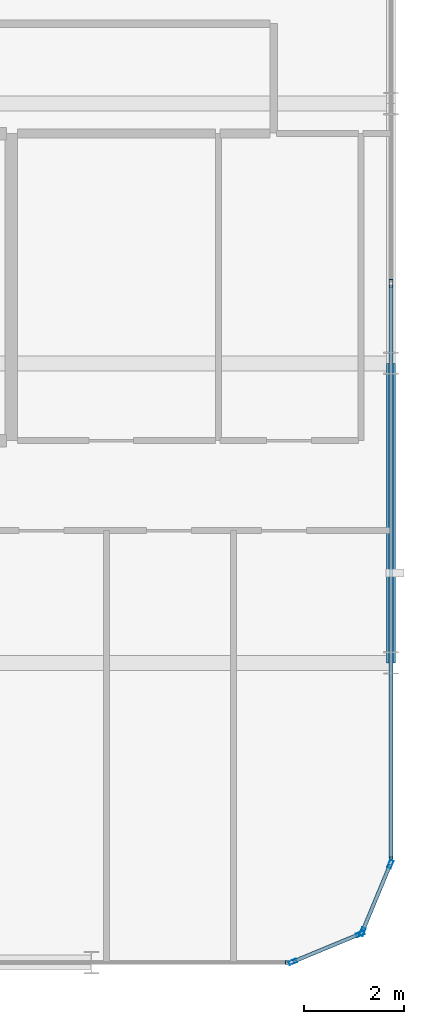
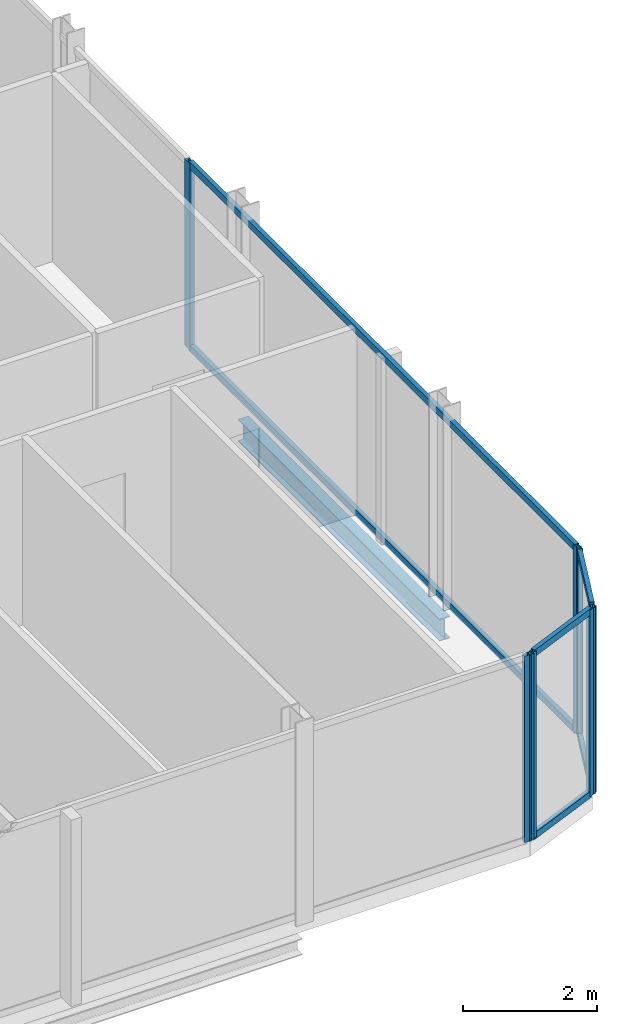
# One storey, part 12 of 29: 13 members, 1 beam, 4 elements without a shape of their own.
"""IFC4 building model written with IfcOpenShell, lengths in metres."""

from ifc_helpers import new_model, si_unit, direction, frame, origin, origin_2d, place, context, subcontext, project, spatial, hollow_rectangle, i_section, extrude, material, layer, layer_set, material_profile, profile_set, type_object, element, aggregate, save


model = new_model("IFC4")

# Units and contexts
model_context = context("Model", 3, precision=1e-05, world=origin(), true_north=direction((0.0, 1.0)))
body_context = subcontext(model_context, "Body", "Model", "MODEL_VIEW")
ifc_project = project(units=[si_unit("LENGTHUNIT", "METRE"), si_unit("AREAUNIT", "SQUARE_METRE"), si_unit("VOLUMEUNIT", "CUBIC_METRE"), si_unit("PLANEANGLEUNIT", "RADIAN"), si_unit("MASSUNIT", "GRAM", prefix="KILO")], contexts=[model_context])

# Site, building, storey
site_placement = place(None, origin())
site = spatial("IfcSite", under=ifc_project, at=site_placement, CompositionType="ELEMENT")
building_placement = place(site_placement, origin())
building = spatial("IfcBuilding", under=site, at=building_placement, Name="Keshet Zoharim Tower", CompositionType="ELEMENT")
storey_placement = place(building_placement, frame((0.0, 0.0, 188.39990234375)))
storey = spatial("IfcBuildingStorey", under=building, at=storey_placement, Name="L46", CompositionType="ELEMENT", Elevation=188.39990234375)

# Beam
ifc_material_1 = material(Name="Steel S355", Category="steel")
ifc_material_profile_1 = material_profile(ifc_material_1, i_section(OverallWidth=0.179931640625, OverallDepth=0.39990234375, WebThickness=0.008544921875, FlangeThickness=0.013427734375, FilletRadius=0.02099609375, at=origin_2d()), Name="IPE400")
ifc_profile_set_1 = profile_set([ifc_material_profile_1], Name="Steel S355")
beam_type = type_object("IfcBeamType", Name="BM-PRI-IP400", PredefinedType="BEAM", material=ifc_profile_set_1)
beam_placement = place(storey_placement, frame((57.0, 6.699951171875, -0.510009765625), z_axis=(0.0, 1.0, 0.0), x_axis=(-1.0, 0.0, 0.0)))
element("IfcBeam", 1, at=beam_placement, inside=storey, type_object=beam_type, Name="L46 Primary Girder Y-013", PredefinedType="BEAM", context=body_context, shape_type="SweptSolid", body=[
    extrude(i_section(OverallWidth=0.179931640625, OverallDepth=0.39990234375, WebThickness=0.008544921875, FlangeThickness=0.013427734375, FilletRadius=0.02099609375, at=origin_2d()), origin(), (0.0, 0.0, 1.0), 6.0),
])

# Curtain wall, members
ifc_material_2 = material(Name="Aluminium 6063-T6", Category="aluminium")
ifc_layer = layer(ifc_material_2, 0.139892578125)
ifc_layer_set = layer_set([ifc_layer], Name="Aluminium 6063-T6")
curtain_wall_type = type_object("IfcCurtainWallType", Name="CW-SYS-05", PredefinedType="NOTDEFINED", material=ifc_layer_set)
curtain_wall_1_placement = place(storey_placement, origin())
curtain_wall_1 = element("IfcCurtainWall", 2, at=curtain_wall_1_placement, inside=storey, type_object=curtain_wall_type, Name="L46 Unitised Curtain Wall 03", PredefinedType="NOTDEFINED")
ifc_material_profile_2 = material_profile(ifc_material_2, hollow_rectangle(XDim=0.074951171875, YDim=0.159912109375, WallThickness=0.00390625, at=origin_2d()), Name="MUL-75x160")
ifc_profile_set_2 = profile_set([ifc_material_profile_2], Name="Aluminium 6063-T6")
member_type_1 = type_object("IfcMemberType", Name="CWM-M15", PredefinedType="MULLION", material=ifc_profile_set_2)
member_1_placement = place(storey_placement, frame((57.0, 14.300048828125, 0.0), z_axis=(0.0, 0.0, 1.0), x_axis=(1.0, 0.0, 0.0)))
member_1 = element("IfcMember", 3, at=member_1_placement, type_object=member_type_1, Name="CW-05 mullion 2", PredefinedType="MULLION", context=body_context, shape_type="SweptSolid", body=[
    extrude(hollow_rectangle(XDim=0.074951171875, YDim=0.159912109375, WallThickness=0.00390625, at=origin_2d()), origin(), (0.0, 0.0, 1.0), 3.39013671875),
])
member_2_placement = place(storey_placement, frame((57.0, 2.735107421875, 0.0), z_axis=(0.0, 0.0, 1.0), x_axis=(1.0, 0.0, 0.0)))
member_2 = element("IfcMember", 4, at=member_2_placement, type_object=member_type_1, Name="CW-05 mullion 3", PredefinedType="MULLION", context=body_context, shape_type="SweptSolid", body=[
    extrude(hollow_rectangle(XDim=0.074951171875, YDim=0.159912109375, WallThickness=0.00390625, at=origin_2d()), origin(), (0.0, 0.0, 1.0), 3.39013671875),
])

curtain_wall_2_placement = place(storey_placement, origin())
curtain_wall_2 = element("IfcCurtainWall", 5, at=curtain_wall_2_placement, inside=storey, type_object=curtain_wall_type, Name="L46 Unitised Curtain Wall 04", PredefinedType="NOTDEFINED")
member_3_placement = place(storey_placement, frame((56.986572265625, 2.667724609375, 0.0), z_axis=(0.0, 0.0, 1.0), x_axis=(0.92380975372, -0.382851849847, 0.0)))
member_3 = element("IfcMember", 6, at=member_3_placement, type_object=member_type_1, Name="CW-05 mullion 1", PredefinedType="MULLION", context=body_context, shape_type="SweptSolid", body=[
    extrude(hollow_rectangle(XDim=0.074951171875, YDim=0.159912109375, WallThickness=0.00390625, at=origin_2d()), origin(), (0.0, 0.0, 1.0), 3.39013671875),
])
member_4_placement = place(storey_placement, frame((56.427490234375, 1.318359375, 0.0), z_axis=(0.0, 0.0, 1.0), x_axis=(0.92380975372, -0.382851849847, 0.0)))
member_4 = element("IfcMember", 7, at=member_4_placement, type_object=member_type_1, Name="CW-05 mullion 2", PredefinedType="MULLION", context=body_context, shape_type="SweptSolid", body=[
    extrude(hollow_rectangle(XDim=0.074951171875, YDim=0.159912109375, WallThickness=0.00390625, at=origin_2d()), origin(), (0.0, 0.0, 1.0), 3.39013671875),
])

curtain_wall_3_placement = place(storey_placement, origin())
curtain_wall_3 = element("IfcCurtainWall", 8, at=curtain_wall_3_placement, inside=storey, type_object=curtain_wall_type, Name="L46 Unitised Curtain Wall 05", PredefinedType="NOTDEFINED")
member_5_placement = place(storey_placement, frame((56.381591796875, 1.272705078125, 0.0), z_axis=(0.0, 0.0, 1.0), x_axis=(0.382851849847, -0.92380975372, 0.0)))
member_5 = element("IfcMember", 9, at=member_5_placement, type_object=member_type_1, Name="CW-05 mullion 1", PredefinedType="MULLION", context=body_context, shape_type="SweptSolid", body=[
    extrude(hollow_rectangle(XDim=0.074951171875, YDim=0.159912109375, WallThickness=0.00390625, at=origin_2d()), origin(), (0.0, 0.0, 1.0), 3.39013671875),
])
member_6_placement = place(storey_placement, frame((55.0322265625, 0.71337890625, 0.0), z_axis=(0.0, 0.0, 1.0), x_axis=(0.382851849847, -0.92380975372, 0.0)))
member_6 = element("IfcMember", 10, at=member_6_placement, type_object=member_type_1, Name="CW-05 mullion 2", PredefinedType="MULLION", context=body_context, shape_type="SweptSolid", body=[
    extrude(hollow_rectangle(XDim=0.074951171875, YDim=0.159912109375, WallThickness=0.00390625, at=origin_2d()), origin(), (0.0, 0.0, 1.0), 3.39013671875),
])

# Curtain wall, member
curtain_wall_4_placement = place(storey_placement, origin())
curtain_wall_4 = element("IfcCurtainWall", 11, at=curtain_wall_4_placement, inside=storey, type_object=curtain_wall_type, Name="L46 Unitised Curtain Wall 06", PredefinedType="NOTDEFINED")
member_7_placement = place(storey_placement, frame((54.965087890625, 0.699951171875, 0.0), z_axis=(0.0, 0.0, 1.0), x_axis=(0.0, -1.0, 0.0)))
member_7 = element("IfcMember", 12, at=member_7_placement, type_object=member_type_1, Name="CW-05 mullion 1", PredefinedType="MULLION", context=body_context, shape_type="SweptSolid", body=[
    extrude(hollow_rectangle(XDim=0.074951171875, YDim=0.159912109375, WallThickness=0.00390625, at=origin_2d()), origin(), (0.0, 0.0, 1.0), 3.39013671875),
])
aggregate(curtain_wall_4, [member_7])

# Member
ifc_material_profile_3 = material_profile(ifc_material_2, hollow_rectangle(XDim=0.074951171875, YDim=0.1201171875, WallThickness=0.00390625, at=origin_2d()), Name="TRN-75x120")
ifc_profile_set_3 = profile_set([ifc_material_profile_3], Name="Aluminium 6063-T6")
member_type_2 = type_object("IfcMemberType", Name="CWT-T12", PredefinedType="USERDEFINED", material=ifc_profile_set_3)
member_8_placement = place(storey_placement, frame((57.0, 14.264892578125, 0.03515625), z_axis=(0.0, -1.0, 0.0), x_axis=(1.0, 0.0, 0.0)))
member_8 = element("IfcMember", 13, at=member_8_placement, type_object=member_type_2, Name="CW-05 transom 2.1", ObjectType="TRANSOM", PredefinedType="USERDEFINED", context=body_context, shape_type="SweptSolid", body=[
    extrude(hollow_rectangle(XDim=0.074951171875, YDim=0.1201171875, WallThickness=0.00390625, at=origin_2d()), origin(), (0.0, 0.0, 1.0), 11.494873046875),
])

member_9_placement = place(storey_placement, frame((57.0, 14.264892578125, 3.35498046875), z_axis=(0.0, -1.0, 0.0), x_axis=(1.0, 0.0, 0.0)))
member_9 = element("IfcMember", 14, at=member_9_placement, type_object=member_type_2, Name="CW-05 transom 2.2", ObjectType="TRANSOM", PredefinedType="USERDEFINED", context=body_context, shape_type="SweptSolid", body=[
    extrude(hollow_rectangle(XDim=0.074951171875, YDim=0.1201171875, WallThickness=0.00390625, at=origin_2d()), origin(), (0.0, 0.0, 1.0), 11.494873046875),
])

aggregate(curtain_wall_1, [member_1, member_2, member_8, member_9])

member_10_placement = place(storey_placement, frame((56.97314453125, 2.63525390625, 0.03515625), z_axis=(-0.382744609247, -0.923854189844, 0.0), x_axis=(0.923854189844, -0.382744609247, 0.0)))
member_10 = element("IfcMember", 15, at=member_10_placement, type_object=member_type_2, Name="CW-05 transom 1.1", ObjectType="TRANSOM", PredefinedType="USERDEFINED", context=body_context, shape_type="SweptSolid", body=[
    extrude(hollow_rectangle(XDim=0.074951171875, YDim=0.1201171875, WallThickness=0.00390625, at=origin_2d()), origin(), (0.0, 0.0, 1.0), 1.390625),
])

member_11_placement = place(storey_placement, frame((56.97314453125, 2.63525390625, 3.35498046875), z_axis=(-0.382744609247, -0.923854189844, 0.0), x_axis=(0.923854189844, -0.382744609247, 0.0)))
member_11 = element("IfcMember", 16, at=member_11_placement, type_object=member_type_2, Name="CW-05 transom 1.2", ObjectType="TRANSOM", PredefinedType="USERDEFINED", context=body_context, shape_type="SweptSolid", body=[
    extrude(hollow_rectangle(XDim=0.074951171875, YDim=0.1201171875, WallThickness=0.00390625, at=origin_2d()), origin(), (0.0, 0.0, 1.0), 1.390625),
])

aggregate(curtain_wall_2, [member_3, member_4, member_10, member_11])

member_12_placement = place(storey_placement, frame((56.349365234375, 1.25927734375, 0.03515625), z_axis=(-0.92379209995, -0.382894445076, 0.0), x_axis=(0.382894445076, -0.92379209995, 0.0)))
member_12 = element("IfcMember", 17, at=member_12_placement, type_object=member_type_2, Name="CW-05 transom 1.1", ObjectType="TRANSOM", PredefinedType="USERDEFINED", context=body_context, shape_type="SweptSolid", body=[
    extrude(hollow_rectangle(XDim=0.074951171875, YDim=0.1201171875, WallThickness=0.00390625, at=origin_2d()), origin(), (0.0, 0.0, 1.0), 1.390625),
])

member_13_placement = place(storey_placement, frame((56.349365234375, 1.25927734375, 3.35498046875), z_axis=(-0.92379209995, -0.382894445076, 0.0), x_axis=(0.382894445076, -0.92379209995, 0.0)))
member_13 = element("IfcMember", 18, at=member_13_placement, type_object=member_type_2, Name="CW-05 transom 1.2", ObjectType="TRANSOM", PredefinedType="USERDEFINED", context=body_context, shape_type="SweptSolid", body=[
    extrude(hollow_rectangle(XDim=0.074951171875, YDim=0.1201171875, WallThickness=0.00390625, at=origin_2d()), origin(), (0.0, 0.0, 1.0), 1.390625),
])

aggregate(curtain_wall_3, [member_5, member_6, member_12, member_13])

save(model, "model.ifc")
